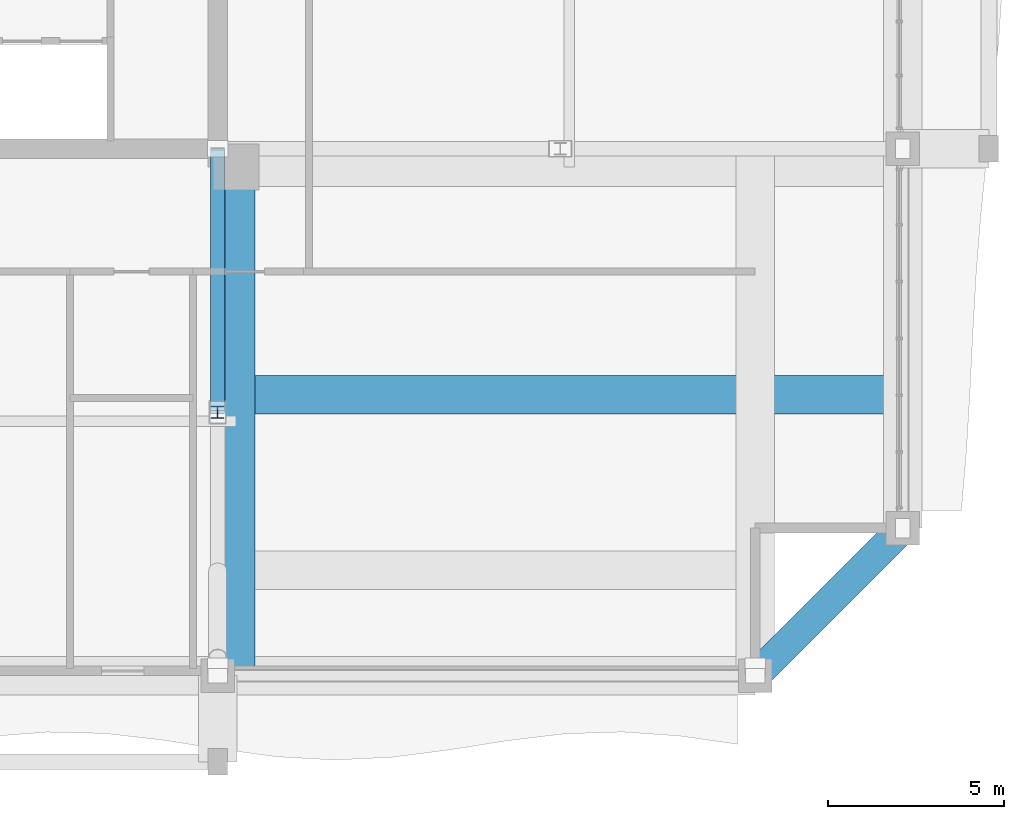
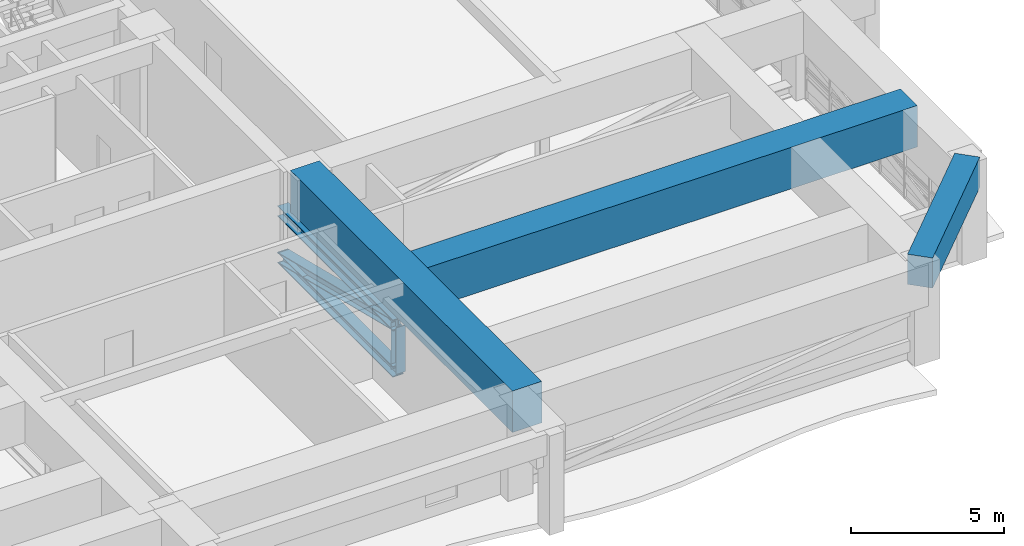
# One storey, part 12 of 35: 4 members, 3 beams.
"""IFC4 building model written with IfcOpenShell, lengths in metres."""

from ifc_helpers import new_model, si_unit, direction, frame, origin, origin_2d, place, context, subcontext, project, spatial, rectangle, i_section, extrude, source, transform, mapped, material, material_profile, profile_set, type_object, element, save


model = new_model("IFC4")

# Units and contexts
model_context = context("Model", 3, precision=1e-05, world=origin(), true_north=direction((0.0, 1.0)))
body_context = subcontext(model_context, "Body", "Model", "MODEL_VIEW")
ifc_project = project(units=[si_unit("LENGTHUNIT", "METRE"), si_unit("AREAUNIT", "SQUARE_METRE"), si_unit("VOLUMEUNIT", "CUBIC_METRE"), si_unit("PLANEANGLEUNIT", "RADIAN"), si_unit("MASSUNIT", "GRAM", prefix="KILO")], contexts=[model_context])

# Site, building, storey
site_placement = place(None, origin())
site = spatial("IfcSite", under=ifc_project, at=site_placement, CompositionType="ELEMENT")
building_placement = place(site_placement, origin())
building = spatial("IfcBuilding", under=site, at=building_placement, Name="Saelheon Loggia Tower", CompositionType="ELEMENT")
storey_placement = place(building_placement, frame((0.0, 0.0, 144.75)))
storey = spatial("IfcBuildingStorey", under=building, at=storey_placement, Name="L46", CompositionType="ELEMENT", Elevation=144.75)

# Beams
ifc_material_1 = material(Name="Concrete C50/60", Category="concrete")
ifc_material_profile_1 = material_profile(ifc_material_1, rectangle(XDim=1.10009765625, YDim=1.64990234375, at=origin_2d()), Name="RC-1100x1650")
ifc_profile_set_1 = profile_set([ifc_material_profile_1], Name="Concrete C50/60")
beam_type_1 = type_object("IfcBeamType", Name="Beam_MegaTransfer_RC1100x1650", PredefinedType="BEAM", material=ifc_profile_set_1)
shared_shape_1 = source(origin(), body_context, "Body", "SweptSolid", [
    extrude(rectangle(XDim=1.10009765625, YDim=1.64990234375, at=origin_2d()), origin(), (0.0, 0.0, 1.0), 14.47998046875),
])
beam_1_placement = place(storey_placement, frame((45.02001953125, 17.47998046875, 3.125), z_axis=(0.0, -1.0, 0.0), x_axis=(1.0, 0.0, 0.0)))
element("IfcBeam", 1, at=beam_1_placement, inside=storey, type_object=beam_type_1, Name="L46 Radial Floor Girder RAD-SE-S", PredefinedType="BEAM", context=body_context, shape_type="MappedRepresentation", body=[
    mapped(shared_shape_1, transform((0.0, 0.0, 0.0), scale=1.0)),
])
shared_shape_2 = source(origin(), body_context, "Body", "SweptSolid", [
    extrude(rectangle(XDim=1.10009765625, YDim=1.64990234375, at=origin_2d()), origin(), (0.0, 0.0, 1.0), 19.5),
])
beam_2_placement = place(storey_placement, frame((44.5, 11.0, 3.125), z_axis=(1.0, 0.0, 0.0), x_axis=(0.0, 1.0, 0.0)))
element("IfcBeam", 2, at=beam_2_placement, inside=storey, type_object=beam_type_1, Name="TG-L46-SH-SE", PredefinedType="BEAM", context=body_context, shape_type="MappedRepresentation", body=[
    mapped(shared_shape_2, transform((0.0, 0.0, 0.0), scale=1.0)),
])

# Members
ifc_material_2 = material(Name="Steel SM355", Category="steel")
ifc_material_profile_2 = material_profile(ifc_material_2, i_section(OverallWidth=0.406982421875, OverallDepth=0.427978515625, WebThickness=0.02001953125, FlangeThickness=0.034912109375, at=origin_2d()), Name="H-428x407x20x35")
ifc_profile_set_2 = profile_set([ifc_material_profile_2], Name="Steel SM355")
member_type_1 = type_object("IfcMemberType", Name="Outrigger_Chord_H428", PredefinedType="CHORD", material=ifc_profile_set_2)
shared_shape_3 = source(origin(), body_context, "Body", "SweptSolid", [
    extrude(i_section(OverallWidth=0.406982421875, OverallDepth=0.427978515625, WebThickness=0.02001953125, FlangeThickness=0.034912109375, at=origin_2d()), origin(), (0.0, 0.0, 1.0), 7.5),
])
for number, where, z_axis, x_axis, name in (
    (3, (44.5, 18.0, 0.219970703125), (0.0, -1.0, 0.0), (1.0, 0.0, 0.0), "L46 Outrigger Bottom Chord SE-S 1"),
    (4, (44.5, 18.0, 2.070068359375), (0.0, -1.0, 0.0), (1.0, 0.0, 0.0), "L46 Outrigger Top Chord SE-S 1"),
):
    element("IfcMember", number, at=place(storey_placement, frame(where, z_axis=z_axis, x_axis=x_axis)), inside=storey, type_object=member_type_1, Name=name, PredefinedType="CHORD", context=body_context, shape_type="MappedRepresentation", body=[
        mapped(shared_shape_3, transform((0.0, 0.0, 0.0), scale=1.0)),
    ])
ifc_material_profile_3 = material_profile(ifc_material_2, i_section(OverallWidth=0.39990234375, OverallDepth=0.39990234375, WebThickness=0.012939453125, FlangeThickness=0.02099609375, at=origin_2d()), Name="H-400x400x13x21")
ifc_profile_set_3 = profile_set([ifc_material_profile_3], Name="Steel SM355")
member_type_2 = type_object("IfcMemberType", Name="Outrigger_Brace_H400", PredefinedType="BRACE", material=ifc_profile_set_3)
shared_shape_4 = source(origin(), body_context, "Body", "SweptSolid", [
    extrude(i_section(OverallWidth=0.39990234375, OverallDepth=0.39990234375, WebThickness=0.012939453125, FlangeThickness=0.02099609375, at=origin_2d()), origin(), (0.0, 0.0, 1.0), 7.724853515625),
])
member_1_placement = place(storey_placement, frame((44.5, 18.0, 0.219970703125), z_axis=(0.0, -0.970896268456, 0.239500388098), x_axis=(1.0, 0.0, 0.0)))
element("IfcMember", 5, at=member_1_placement, inside=storey, type_object=member_type_2, Name="L46 Outrigger Diagonal SE-S 1", PredefinedType="BRACE", context=body_context, shape_type="MappedRepresentation", body=[
    mapped(shared_shape_4, transform((0.0, 0.0, 0.0), scale=1.0)),
])

# Beam
ifc_material_profile_4 = material_profile(ifc_material_1, rectangle(XDim=0.85009765625, YDim=1.199951171875, at=origin_2d()), Name="RC-850x1200")
ifc_profile_set_4 = profile_set([ifc_material_profile_4], Name="Concrete C50/60")
beam_type_2 = type_object("IfcBeamType", Name="Beam_CornerShoulder_RC850x1200", PredefinedType="BEAM", material=ifc_profile_set_4)
shared_shape_5 = source(origin(), body_context, "Body", "SweptSolid", [
    extrude(rectangle(XDim=0.85009765625, YDim=1.199951171875, at=origin_2d()), origin(), (0.0, 0.0, 1.0), 5.939697265625),
])
beam_3_placement = place(storey_placement, frame((59.800048828125, 3.0, 3.35009765625), z_axis=(0.707106781187, 0.707106781187, 0.0), x_axis=(-0.707106781187, 0.707106781187, 0.0)))
element("IfcBeam", 6, at=beam_3_placement, inside=storey, type_object=beam_type_2, Name="L46 Corner Shoulder Beam 04", PredefinedType="BEAM", context=body_context, shape_type="MappedRepresentation", body=[
    mapped(shared_shape_5, transform((0.0, 0.0, 0.0), scale=1.0)),
])

# Member
ifc_material_profile_5 = material_profile(ifc_material_2, i_section(OverallWidth=0.35009765625, OverallDepth=0.35009765625, WebThickness=0.011962890625, FlangeThickness=0.01904296875, at=origin_2d()), Name="H-350x350x12x19")
ifc_profile_set_5 = profile_set([ifc_material_profile_5], Name="Steel SM355")
member_type_3 = type_object("IfcMemberType", Name="Outrigger_Post_H350", PredefinedType="POST", material=ifc_profile_set_5)
shared_shape_6 = source(origin(), body_context, "Body", "SweptSolid", [
    extrude(i_section(OverallWidth=0.35009765625, OverallDepth=0.35009765625, WebThickness=0.011962890625, FlangeThickness=0.01904296875, at=origin_2d()), origin(), (0.0, 0.0, 1.0), 1.85009765625),
])
member_2_placement = place(storey_placement, frame((44.5, 10.5, 0.219970703125), z_axis=(0.0, 0.0, 1.0), x_axis=(1.0, 0.0, 0.0)))
element("IfcMember", 7, at=member_2_placement, inside=storey, type_object=member_type_3, Name="L46 Outrigger Web Post SE-S", PredefinedType="POST", context=body_context, shape_type="MappedRepresentation", body=[
    mapped(shared_shape_6, transform((0.0, 0.0, 0.0), scale=1.0)),
])

save(model, "model.ifc")
